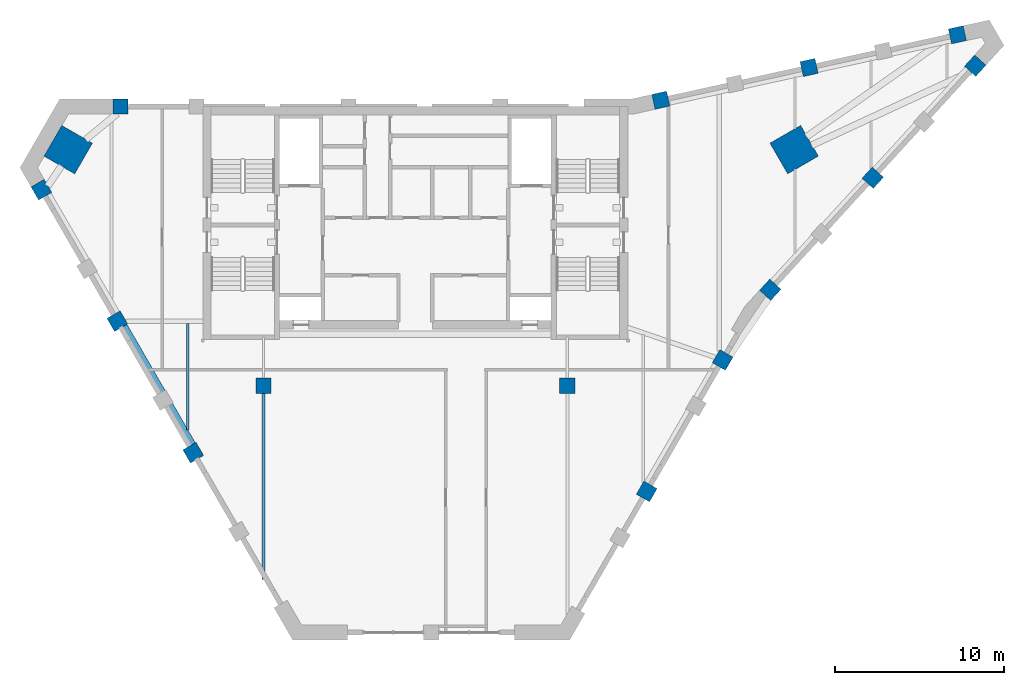
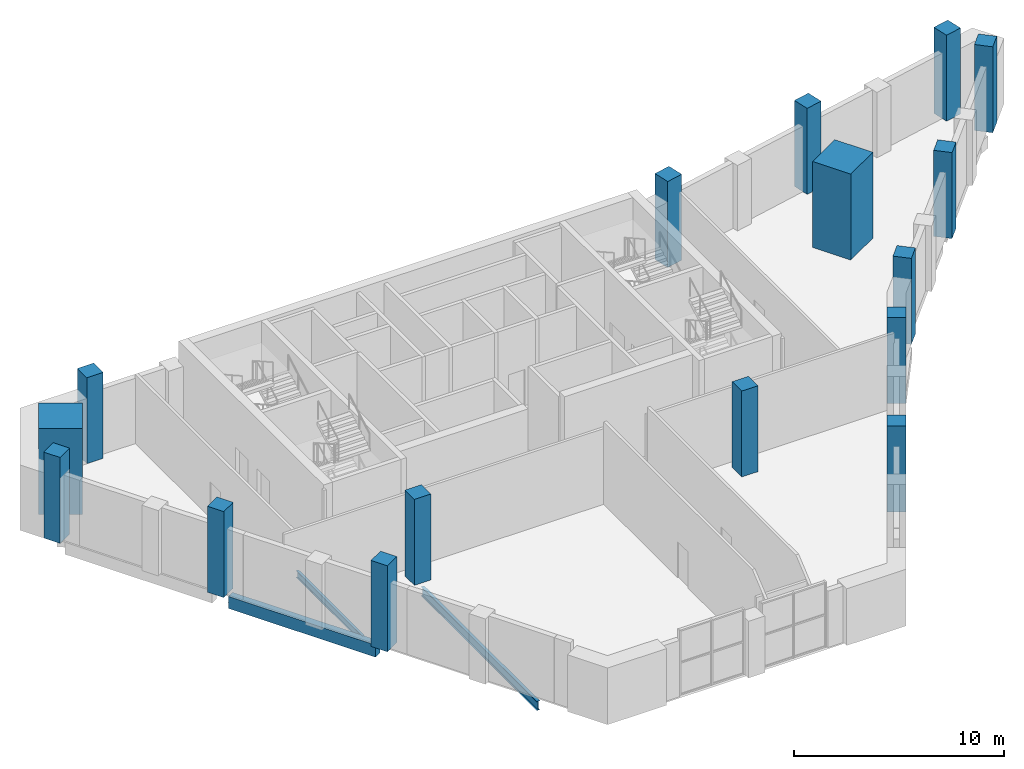
# One storey, part 1 of 9: 16 columns, 3 beams.
"""IFC4 building model written with IfcOpenShell, lengths in metres."""

from ifc_helpers import new_model, si_unit, direction, frame, origin, origin_2d, place, context, subcontext, project, spatial, rectangle, i_section, extrude, material, material_profile, profile_set, type_object, element, save


model = new_model("IFC4")

# Units and contexts
model_context = context("Model", 3, precision=1e-05, world=origin(), true_north=direction((0.0, 1.0)))
body_context = subcontext(model_context, "Body", "Model", "MODEL_VIEW")
ifc_project = project(units=[si_unit("LENGTHUNIT", "METRE"), si_unit("AREAUNIT", "SQUARE_METRE"), si_unit("VOLUMEUNIT", "CUBIC_METRE"), si_unit("PLANEANGLEUNIT", "RADIAN"), si_unit("MASSUNIT", "GRAM", prefix="KILO")], contexts=[model_context])

# Site, building, storey
site_placement = place(None, origin())
site = spatial("IfcSite", under=ifc_project, at=site_placement, CompositionType="ELEMENT")
building_placement = place(site_placement, origin())
building = spatial("IfcBuilding", under=site, at=building_placement, Name="Calabash Gate Tower", CompositionType="ELEMENT")
storey_placement = place(building_placement, frame((0.0, 0.0, 320.5)))
storey = spatial("IfcBuildingStorey", under=building, at=storey_placement, Name="L75", CompositionType="ELEMENT", Elevation=320.5)

# Columns
ifc_material_1 = material(Name="Concrete C60/75", Category="concrete")
ifc_material_profile_1 = material_profile(ifc_material_1, rectangle(XDim=0.89990234375, YDim=0.89990234375, at=origin_2d()))
ifc_profile_set_1 = profile_set([ifc_material_profile_1], Name="Concrete C60/75")
column_type_1 = type_object("IfcColumnType", Name="Interior column RC 900x900 Concrete C60/75", PredefinedType="COLUMN", material=ifc_profile_set_1)
for number, where, z_axis, x_axis, name in (
    (1, (-9.0, 2.5, 0.0), (0.0, 0.0, 1.0), (1.0, 0.0, 0.0), "Interior column L75 I0"),
    (2, (9.0, 2.5, 0.0), (0.0, 0.0, 1.0), (1.0, 0.0, 0.0), "Interior column L75 I1"),
):
    element("IfcColumn", number, at=place(storey_placement, frame(where, z_axis=z_axis, x_axis=x_axis)), inside=storey, type_object=column_type_1, Name=name, PredefinedType="COLUMN", context=body_context, shape_type="SweptSolid", body=[
        extrude(rectangle(XDim=0.89990234375, YDim=0.89990234375, at=origin_2d()), origin(), (0.0, 0.0, 1.0), 5.0),
    ])
ifc_material_2 = material(Name="Concrete C60/75", Category="concrete")
ifc_material_profile_2 = material_profile(ifc_material_2, rectangle(XDim=2.10009765625, YDim=2.10009765625, at=origin_2d()))
ifc_profile_set_2 = profile_set([ifc_material_profile_2], Name="Concrete C60/75")
column_type_2 = type_object("IfcColumnType", Name="Mega column RC 2100x2100 Concrete C60/75", PredefinedType="COLUMN", material=ifc_profile_set_2)
for number, where, z_axis, x_axis, name in (
    (3, (-20.572998046875, 16.491943359375, 0.0), (0.0, 0.0, 1.0), (0.866025395058, -0.500000015115, 0.0), "Mega column L75 NW"),
    (4, (22.447021484375, 16.491943359375, 0.0), (0.0, 0.0, 1.0), (-0.866025395058, -0.500000015115, 0.0), "Mega column L75 NE"),
):
    element("IfcColumn", number, at=place(storey_placement, frame(where, z_axis=z_axis, x_axis=x_axis)), inside=storey, type_object=column_type_2, Name=name, PredefinedType="COLUMN", context=body_context, shape_type="SweptSolid", body=[
        extrude(rectangle(XDim=2.10009765625, YDim=2.10009765625, at=origin_2d()), origin(), (0.0, 0.0, 1.0), 5.0),
    ])
ifc_material_3 = material(Name="Concrete C50/60", Category="concrete")
ifc_material_profile_3 = material_profile(ifc_material_3, rectangle(XDim=0.89990234375, YDim=0.89990234375, at=origin_2d()))
ifc_profile_set_3 = profile_set([ifc_material_profile_3], Name="Concrete C50/60")
column_type_3 = type_object("IfcColumnType", Name="Perimeter column RC 900x900 Concrete C50/60", PredefinedType="COLUMN", material=ifc_profile_set_3)
for number, where, z_axis, x_axis, name in (
    (5, (-22.162109375, 14.1201171875, 0.0), (0.0, 0.0, 1.0), (0.500000015115, -0.866025395058, 0.0), "Perimeter column L75 P20"),
    (6, (-17.662109375, 6.325927734375, 0.0), (0.0, 0.0, 1.0), (0.500000015115, -0.866025395058, 0.0), "Perimeter column L75 P00"),
    (7, (-13.162109375, -1.468017578125, 0.0), (0.0, 0.0, 1.0), (0.500000015115, -0.866025395058, 0.0), "Perimeter column L75 P01"),
    (8, (13.7080078125, -3.762939453125, 0.0), (0.0, 0.0, 1.0), (0.499999984885, 0.866025412511, 0.0), "Perimeter column L75 P10"),
    (9, (18.2080078125, 4.030029296875, 0.0), (0.0, 0.0, 1.0), (0.499999984885, 0.866025412511, 0.0), "Perimeter column L75 P11"),
    (10, (21.031005859375, 8.18701171875, 0.0), (0.0, 0.0, 1.0), (0.67485604152, 0.737949404244, 0.0), "Perimeter column L75 P12"),
    (11, (27.10400390625, 14.825927734375, 0.0), (0.0, 0.0, 1.0), (0.67485604152, 0.737949404244, 0.0), "Perimeter column L75 P36"),
    (12, (33.177978515625, 21.468017578125, 0.0), (0.0, 0.0, 1.0), (0.67485604152, 0.737949404244, 0.0), "Perimeter column L75 P37"),
    (13, (32.12109375, 23.298095703125, 0.0), (0.0, 0.0, 1.0), (-0.976510951543, -0.215467773731, 0.0), "Perimeter column L75 P38"),
    (14, (23.3330078125, 21.35888671875, 0.0), (0.0, 0.0, 1.0), (-0.976510951543, -0.215467773731, 0.0), "Perimeter column L75 P39"),
    (15, (14.5439453125, 19.4189453125, 0.0), (0.0, 0.0, 1.0), (-0.976510951543, -0.215467773731, 0.0), "Perimeter column L75 P40"),
    (16, (-17.466064453125, 19.052978515625, 0.0), (0.0, 0.0, 1.0), (-1.0, 0.0, 0.0), "Perimeter column L75 P31"),
):
    element("IfcColumn", number, at=place(storey_placement, frame(where, z_axis=z_axis, x_axis=x_axis)), inside=storey, type_object=column_type_3, Name=name, PredefinedType="COLUMN", context=body_context, shape_type="SweptSolid", body=[
        extrude(rectangle(XDim=0.89990234375, YDim=0.89990234375, at=origin_2d()), origin(), (0.0, 0.0, 1.0), 5.0),
    ])

# Beams
ifc_material_4 = material(Name="Concrete C50/60", Category="concrete")
ifc_material_profile_4 = material_profile(ifc_material_4, rectangle(XDim=0.39990234375, YDim=0.699951171875, at=origin_2d()))
ifc_profile_set_4 = profile_set([ifc_material_profile_4], Name="Concrete C50/60")
beam_type_1 = type_object("IfcBeamType", Name="Edge beam RC 400x700 Concrete C50/60", PredefinedType="BEAM", material=ifc_profile_set_4)
beam_1_placement = place(storey_placement, frame((-17.263916015625, 6.035888671875, -0.550048828125), z_axis=(0.499977274689, -0.866038523851, 0.0), x_axis=(0.866038523851, 0.499977274689, 0.0)))
element("IfcBeam", 17, at=beam_1_placement, inside=storey, type_object=beam_type_1, Name="Edge beam L75 1", PredefinedType="BEAM", context=body_context, shape_type="SweptSolid", body=[
    extrude(rectangle(XDim=0.39990234375, YDim=0.699951171875, at=origin_2d()), origin(), (0.0, 0.0, 1.0), 8.10009765625),
])
ifc_material_5 = material(Name="Steel ASTM A992 Gr50", Category="steel")
ifc_material_profile_5 = material_profile(ifc_material_5, i_section(OverallWidth=0.1396484375, OverallDepth=0.398681640625, WebThickness=0.00634765625, FlangeThickness=0.0087890625, FilletRadius=0.01025390625, at=origin_2d()))
ifc_profile_set_5 = profile_set([ifc_material_profile_5], Name="Steel ASTM A992 Gr50")
beam_type_2 = type_object("IfcBeamType", Name="Floor beam W16x26 ASTM A992 Gr50", PredefinedType="BEAM", material=ifc_profile_set_5)
beam_2_placement = place(storey_placement, frame((-13.5, -0.113037109375, -0.39892578125), z_axis=(0.0, 1.0, 0.0), x_axis=(-1.0, 0.0, 0.0)))
element("IfcBeam", 18, at=beam_2_placement, inside=storey, type_object=beam_type_2, Name="Floor beam L75 2", PredefinedType="BEAM", context=body_context, shape_type="SweptSolid", body=[
    extrude(i_section(OverallWidth=0.1396484375, OverallDepth=0.398681640625, WebThickness=0.00634765625, FlangeThickness=0.0087890625, FilletRadius=0.01025390625, at=origin_2d()), origin(), (0.0, 0.0, 1.0), 6.304931640625),
])
ifc_material_6 = material(Name="Steel ASTM A992 Gr50", Category="steel")
ifc_material_profile_6 = material_profile(ifc_material_6, i_section(OverallWidth=0.166015625, OverallDepth=0.5283203125, WebThickness=0.009765625, FlangeThickness=0.013671875, FilletRadius=0.0126953125, at=origin_2d()))
ifc_profile_set_6 = profile_set([ifc_material_profile_6], Name="Steel ASTM A992 Gr50")
beam_type_3 = type_object("IfcBeamType", Name="Floor beam W21x50 ASTM A992 Gr50", PredefinedType="BEAM", material=ifc_profile_set_6)
beam_3_placement = place(storey_placement, frame((-9.0, -8.968994140625, -0.464111328125), z_axis=(0.0, 1.0, 0.0), x_axis=(-1.0, 0.0, 0.0)))
element("IfcBeam", 19, at=beam_3_placement, inside=storey, type_object=beam_type_3, Name="Floor beam L75 3", PredefinedType="BEAM", context=body_context, shape_type="SweptSolid", body=[
    extrude(i_section(OverallWidth=0.166015625, OverallDepth=0.5283203125, WebThickness=0.009765625, FlangeThickness=0.013671875, FilletRadius=0.0126953125, at=origin_2d()), origin(), (0.0, 0.0, 1.0), 11.01904296875),
])

save(model, "model.ifc")
